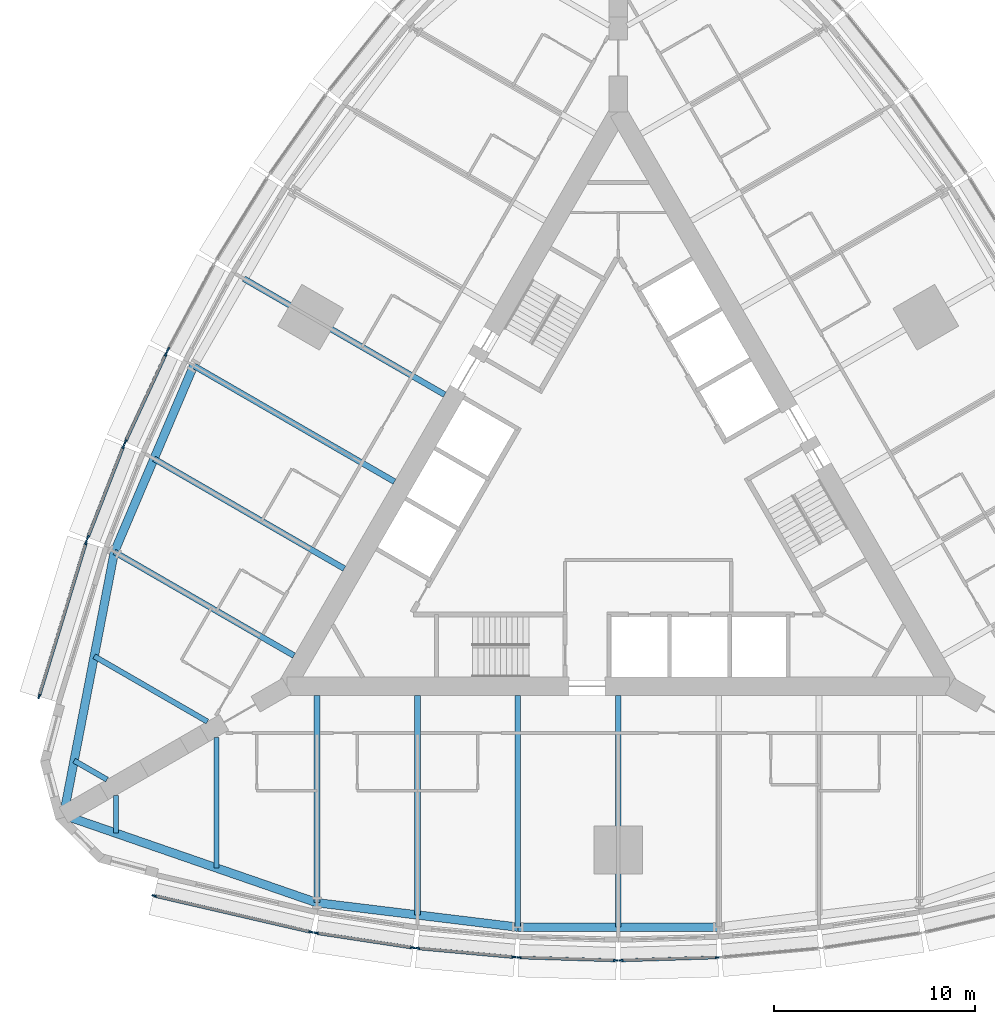
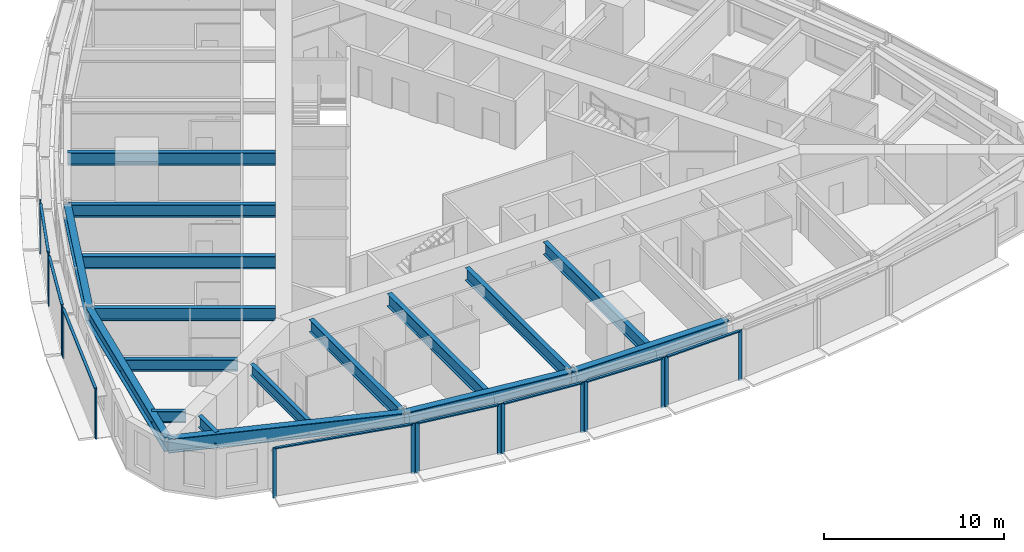
# One storey, part 2 of 14: 25 members, 17 beams, 9 elements without a shape of their own.
"""IFC4 building model written with IfcOpenShell, lengths in metres."""

import ifcopenshell
import ifcopenshell.guid

model = None  # the IFC model being written
_history = None  # IfcOwnerHistory: only IFC2X3 demands one
_inside = {}  # id of a spatial element -> (the spatial element, [elements in it])
_under = {}  # id of a project, library or spatial element -> (it, [spatial elements below it])
_declared = {}  # id of a project -> (the project, [libraries it declares])
_typed = {}  # id of a type object -> (the type object, [elements of that type])
_made_of = {}  # id of a material, layer set ... -> (it, [elements and type objects made of it])


def new_model(schema):
    """Start an empty IFC model of exactly this schema.

    Asked for "IFC4X3", IfcOpenShell would pick the latest addendum, in which some entities
    have other attributes; the version numbers below select the first issue.
    IFC2X3 requires an IfcOwnerHistory on every rooted entity: one is made here for all.
    """
    global model, _history
    if schema == "IFC4X3":
        model = ifcopenshell.file(schema_version=(4, 3, 0, 0))
    else:
        model = ifcopenshell.file(schema=schema)
    _inside.clear()
    _under.clear()
    _declared.clear()
    _typed.clear()
    _made_of.clear()
    _history = None
    if model.schema == "IFC2X3":
        org = make("IfcOrganization", Name="unknown")
        user = make(
            "IfcPersonAndOrganization",
            ThePerson=make("IfcPerson", FamilyName="unknown"),
            TheOrganization=org,
        )
        app = make(
            "IfcApplication",
            ApplicationDeveloper=org,
            Version="unknown",
            ApplicationFullName="unknown",
            ApplicationIdentifier="unknown",
        )
        _history = make(
            "IfcOwnerHistory",
            OwningUser=user,
            OwningApplication=app,
            ChangeAction="ADDED",
            CreationDate=0,
        )
    return model


def make(cls, **values):
    """One entity of the class cls with the attributes given. An attribute that is None is left unset."""
    return model.create_entity(
        cls, **{name: value for name, value in values.items() if value is not None}
    )


def rooted(cls, **values):
    """An entity with a GlobalId (a new one), such as an element, a storey or a relation."""
    return make(cls, GlobalId=ifcopenshell.guid.new(), OwnerHistory=_history, **values)


def si_unit(unit_type, name, prefix=None):
    """IfcSIUnit, for example si_unit("LENGTHUNIT", "METRE", prefix="MILLI")."""
    return make("IfcSIUnit", UnitType=unit_type, Prefix=prefix, Name=name)


def assignment(units):
    """IfcUnitAssignment: the units of a project."""
    return None if units is None else make("IfcUnitAssignment", Units=units)


def point(xyz):
    """IfcCartesianPoint."""
    return None if xyz is None else make("IfcCartesianPoint", Coordinates=xyz)


def direction(xyz):
    """IfcDirection."""
    return None if xyz is None else make("IfcDirection", DirectionRatios=xyz)


def frame(location, z_axis=None, x_axis=None):
    """IfcAxis2Placement3D, a coordinate frame: its origin and axes. An axis left out is left unset."""
    return make(
        "IfcAxis2Placement3D",
        Location=point(location),
        Axis=direction(z_axis),
        RefDirection=direction(x_axis),
    )


def frame_2d(location, x_axis=None):
    """IfcAxis2Placement2D, a coordinate frame in the plane: its origin and x axis."""
    return make(
        "IfcAxis2Placement2D", Location=point(location), RefDirection=direction(x_axis)
    )


def origin():
    """The frame at (0, 0, 0) with its axes left unset."""
    return frame((0.0, 0.0, 0.0))


def origin_2d():
    """The frame at (0, 0) in the plane with its x axis left unset."""
    return frame_2d((0.0, 0.0))


def place(relative_to, where):
    """IfcLocalPlacement: puts the frame where relative to a parent placement (None: the world)."""
    return make(
        "IfcLocalPlacement", PlacementRelTo=relative_to, RelativePlacement=where
    )


def context(
    kind, dimensions, precision=None, world=None, true_north=None, identifier=None
):
    """IfcGeometricRepresentationContext, for example the 3D "Model" context."""
    return make(
        "IfcGeometricRepresentationContext",
        ContextIdentifier=identifier,
        ContextType=kind,
        CoordinateSpaceDimension=dimensions,
        Precision=precision,
        WorldCoordinateSystem=world,
        TrueNorth=true_north,
    )


def subcontext(parent, identifier, kind, view, scale=None):
    """IfcGeometricRepresentationSubContext, for example "Body" below "Model"."""
    return make(
        "IfcGeometricRepresentationSubContext",
        ContextIdentifier=identifier,
        ContextType=kind,
        ParentContext=parent,
        TargetScale=scale,
        TargetView=view,
    )


def project(units=None, contexts=None):
    """IfcProject with its units and contexts."""
    return rooted(
        "IfcProject",
        Name="project",
        RepresentationContexts=contexts,
        UnitsInContext=assignment(units),
    )


def spatial(cls, under=None, at=None, **own):
    """A site, building, storey or space (cls), placed at a placement, below another one or the project."""
    s = rooted(cls, ObjectPlacement=at, **own)
    if under is not None:
        _under.setdefault(under.id(), (under, []))[1].append(s)
    return s


def profile(cls, at=None, kind="AREA", **sizes):
    """A parametric profile (cls). Its sizes go by their IFC names, for example OverallWidth=200.0."""
    return make(cls, ProfileType=kind, Position=at, **sizes)


def rectangle(**sizes):
    """IfcRectangleProfileDef."""
    return profile("IfcRectangleProfileDef", **sizes)


def i_section(**sizes):
    """IfcIShapeProfileDef."""
    return profile("IfcIShapeProfileDef", **sizes)


def extrude(swept, where, along, depth):
    """IfcExtrudedAreaSolid: the profile swept, set in the frame where, extruded along a direction by depth."""
    return make(
        "IfcExtrudedAreaSolid",
        SweptArea=swept,
        Position=where,
        ExtrudedDirection=direction(along),
        Depth=depth,
    )


def shape(context_of_items, identifier, shape_type, items):
    """IfcShapeRepresentation: the items that make up one representation, for example the "Body"."""
    return make(
        "IfcShapeRepresentation",
        ContextOfItems=context_of_items,
        RepresentationIdentifier=identifier,
        RepresentationType=shape_type,
        Items=items,
    )


def material(Name=None, Category=None):
    """IfcMaterial."""
    return make("IfcMaterial", Name=Name, Category=Category)


def material_profile(
    of_material, cross_section, Name=None, Category=None, Priority=None
):
    """IfcMaterialProfile: a cross section and its material."""
    return make(
        "IfcMaterialProfile",
        Name=Name,
        Material=of_material,
        Profile=cross_section,
        Priority=Priority,
        Category=Category,
    )


def profile_set(profiles, Name=None, composite=None):
    """IfcMaterialProfileSet."""
    return make(
        "IfcMaterialProfileSet",
        Name=Name,
        MaterialProfiles=profiles,
        CompositeProfile=composite,
    )


def made_of(thing, what):
    """Note that an element or type object is made of a material, layer set ...; save() writes the relation."""
    if what is not None:
        _made_of.setdefault(what.id(), (what, []))[1].append(thing)
    return thing


def type_object(cls, material=None, **own):
    """A type object (cls), such as IfcWallType, which elements share."""
    return made_of(rooted(cls, **own), material)


def element(
    cls,
    number,
    at=None,
    inside=None,
    cuts=None,
    type_object=None,
    material=None,
    context=None,
    identifier="Body",
    shape_type=None,
    held_by="IfcProductDefinitionShape",
    body=None,
    shapes=None,
    **own,
):
    """One element of the class cls, such as IfcWall. Its Tag is "e" and its number.

    at: its placement. inside: the storey or other place that contains it. cuts: it is an
    opening in that element (IfcRelVoidsElement). A single representation is given by context,
    identifier, shape_type and body (its items); several are given by shapes. held_by: the class
    of the entity that holds the representations. save() writes the other relations.
    """
    e = rooted(cls, Tag="e%d" % number, ObjectPlacement=at, **own)
    if body is not None:
        shapes = [shape(context, identifier, shape_type, body)]
    if shapes is not None:
        e.Representation = make(held_by, Representations=shapes)
    if inside is not None:
        _inside.setdefault(inside.id(), (inside, []))[1].append(e)
    if cuts is not None:
        rooted(
            "IfcRelVoidsElement", RelatingBuildingElement=cuts, RelatedOpeningElement=e
        )
    if type_object is not None:
        _typed.setdefault(type_object.id(), (type_object, []))[1].append(e)
    return made_of(e, material)


def aggregate(whole, parts):
    """IfcRelAggregates: a whole, such as a stair, and the parts it consists of."""
    return rooted("IfcRelAggregates", RelatingObject=whole, RelatedObjects=parts)


def save(model, path):
    """Write the relations noted so far, then the file.

    IfcRelAggregates (storeys below a building ...), IfcRelContainedInSpatialStructure (elements
    in a storey), IfcRelDefinesByType, IfcRelAssociatesMaterial and IfcRelDeclares: one each for
    every whole, place, type object, material and project.
    """
    for whole, parts in _under.values():
        aggregate(whole, parts)
    for where, things in _inside.values():
        rooted(
            "IfcRelContainedInSpatialStructure",
            RelatedElements=things,
            RelatingStructure=where,
        )
    for kind, things in _typed.values():
        rooted("IfcRelDefinesByType", RelatedObjects=things, RelatingType=kind)
    for what, things in _made_of.values():
        rooted("IfcRelAssociatesMaterial", RelatedObjects=things, RelatingMaterial=what)
    for by, libraries in _declared.values():
        rooted("IfcRelDeclares", RelatingContext=by, RelatedDefinitions=libraries)
    model.write(path)


model = new_model("IFC4")

# Units and contexts
model_context = context("Model", 3, precision=1e-05, world=origin(), true_north=direction((0.0, 1.0)))
body_context = subcontext(model_context, "Body", "Model", "MODEL_VIEW")
ifc_project = project(units=[si_unit("LENGTHUNIT", "METRE"), si_unit("AREAUNIT", "SQUARE_METRE"), si_unit("VOLUMEUNIT", "CUBIC_METRE"), si_unit("PLANEANGLEUNIT", "RADIAN"), si_unit("MASSUNIT", "GRAM", prefix="KILO")], contexts=[model_context])

# Site, building, storey
site_placement = place(None, origin())
site = spatial("IfcSite", under=ifc_project, at=site_placement, CompositionType="ELEMENT")
building_placement = place(site_placement, origin())
building = spatial("IfcBuilding", under=site, at=building_placement, Name="Trikona Tower", CompositionType="ELEMENT")
storey_placement = place(building_placement, frame((0.0, 0.0, 45.5)))
storey = spatial("IfcBuildingStorey", under=building, at=storey_placement, Name="L10", CompositionType="ELEMENT", Elevation=45.5)

# Curtain wall, members
ifc_material_1 = material(Name="Aluminium curtain wall system", Category="aluminium")
curtain_wall_type = type_object("IfcCurtainWallType", Name="Curtain wall DS1", PredefinedType="NOTDEFINED", material=ifc_material_1)
curtain_wall_1_placement = place(storey_placement, origin())
curtain_wall_1 = element("IfcCurtainWall", 1, at=curtain_wall_1_placement, inside=storey, type_object=curtain_wall_type, Name="Curtain wall DS1 L10", PredefinedType="NOTDEFINED")
ifc_material_2 = material(Name="Aluminium mullion, pale anodised", Category="aluminium")
ifc_material_profile_1 = material_profile(ifc_material_2, rectangle(XDim=0.080078125, YDim=0.219970703125, at=origin_2d()), Name="MUL-DS1")
ifc_profile_set_1 = profile_set([ifc_material_profile_1], Name="Aluminium mullion, pale anodised")
member_type_1 = type_object("IfcMemberType", Name="Mullion DS1 80x220", PredefinedType="MULLION", material=ifc_profile_set_1)
member_1_placement = place(storey_placement, frame((-23.10546875, -19.951904296875, 0.0), z_axis=(0.0, 0.0, 1.0), x_axis=(0.225343288756, 0.974279427173, 0.0)))
member_1 = element("IfcMember", 2, at=member_1_placement, type_object=member_type_1, Name="CW-DS1 mullion 1", PredefinedType="MULLION", context=body_context, shape_type="SweptSolid", body=[
    extrude(rectangle(XDim=0.080078125, YDim=0.219970703125, at=origin_2d()), origin(), (0.0, 0.0, 1.0), 3.39990234375),
])
member_2_placement = place(storey_placement, frame((-15.30029296875, -21.75732421875, 0.0), z_axis=(0.0, 0.0, 1.0), x_axis=(0.225343288756, 0.974279427173, 0.0)))
member_2 = element("IfcMember", 3, at=member_2_placement, type_object=member_type_1, Name="CW-DS1 mullion 2", PredefinedType="MULLION", context=body_context, shape_type="SweptSolid", body=[
    extrude(rectangle(XDim=0.080078125, YDim=0.219970703125, at=origin_2d()), origin(), (0.0, 0.0, 1.0), 3.39990234375),
])

curtain_wall_2_placement = place(storey_placement, origin())
curtain_wall_2 = element("IfcCurtainWall", 4, at=curtain_wall_2_placement, inside=storey, type_object=curtain_wall_type, Name="Curtain wall DS1 L10", PredefinedType="NOTDEFINED")
member_3_placement = place(storey_placement, frame((-15.03662109375, -21.807861328125, 0.0), z_axis=(0.0, 0.0, 1.0), x_axis=(0.150437693845, 0.988619492156, 0.0)))
member_3 = element("IfcMember", 5, at=member_3_placement, type_object=member_type_1, Name="CW-DS1 mullion 1", PredefinedType="MULLION", context=body_context, shape_type="SweptSolid", body=[
    extrude(rectangle(XDim=0.080078125, YDim=0.219970703125, at=origin_2d()), origin(), (0.0, 0.0, 1.0), 3.39990234375),
])
member_4_placement = place(storey_placement, frame((-10.234130859375, -22.53857421875, 0.0), z_axis=(0.0, 0.0, 1.0), x_axis=(0.150437693845, 0.988619492156, 0.0)))
member_4 = element("IfcMember", 6, at=member_4_placement, type_object=member_type_1, Name="CW-DS1 mullion 2", PredefinedType="MULLION", context=body_context, shape_type="SweptSolid", body=[
    extrude(rectangle(XDim=0.080078125, YDim=0.219970703125, at=origin_2d()), origin(), (0.0, 0.0, 1.0), 3.39990234375),
])

curtain_wall_3_placement = place(storey_placement, origin())
curtain_wall_3 = element("IfcCurtainWall", 7, at=curtain_wall_3_placement, inside=storey, type_object=curtain_wall_type, Name="Curtain wall DS1 L10", PredefinedType="NOTDEFINED")
member_5_placement = place(storey_placement, frame((-9.982177734375, -22.5693359375, 0.0), z_axis=(0.0, 0.0, 1.0), x_axis=(0.090923932737, 0.995857840485, 0.0)))
member_5 = element("IfcMember", 8, at=member_5_placement, type_object=member_type_1, Name="CW-DS1 mullion 1", PredefinedType="MULLION", context=body_context, shape_type="SweptSolid", body=[
    extrude(rectangle(XDim=0.080078125, YDim=0.219970703125, at=origin_2d()), origin(), (0.0, 0.0, 1.0), 3.39990234375),
])
member_6_placement = place(storey_placement, frame((-5.181396484375, -23.007568359375, 0.0), z_axis=(0.0, 0.0, 1.0), x_axis=(0.090923932737, 0.995857840485, 0.0)))
member_6 = element("IfcMember", 9, at=member_6_placement, type_object=member_type_1, Name="CW-DS1 mullion 2", PredefinedType="MULLION", context=body_context, shape_type="SweptSolid", body=[
    extrude(rectangle(XDim=0.080078125, YDim=0.219970703125, at=origin_2d()), origin(), (0.0, 0.0, 1.0), 3.39990234375),
])

curtain_wall_4_placement = place(storey_placement, origin())
curtain_wall_4 = element("IfcCurtainWall", 10, at=curtain_wall_4_placement, inside=storey, type_object=curtain_wall_type, Name="Curtain wall DS1 L10", PredefinedType="NOTDEFINED")
member_7_placement = place(storey_placement, frame((-4.927490234375, -23.02294921875, 0.0), z_axis=(0.0, 0.0, 1.0), x_axis=(0.030436711692, 0.999536695965, 0.0)))
member_7 = element("IfcMember", 11, at=member_7_placement, type_object=member_type_1, Name="CW-DS1 mullion 1", PredefinedType="MULLION", context=body_context, shape_type="SweptSolid", body=[
    extrude(rectangle(XDim=0.080078125, YDim=0.219970703125, at=origin_2d()), origin(), (0.0, 0.0, 1.0), 3.39990234375),
])
member_8_placement = place(storey_placement, frame((-0.12744140625, -23.169189453125, 0.0), z_axis=(0.0, 0.0, 1.0), x_axis=(0.030436711692, 0.999536695965, 0.0)))
member_8 = element("IfcMember", 12, at=member_8_placement, type_object=member_type_1, Name="CW-DS1 mullion 2", PredefinedType="MULLION", context=body_context, shape_type="SweptSolid", body=[
    extrude(rectangle(XDim=0.080078125, YDim=0.219970703125, at=origin_2d()), origin(), (0.0, 0.0, 1.0), 3.39990234375),
])

curtain_wall_5_placement = place(storey_placement, origin())
curtain_wall_5 = element("IfcCurtainWall", 13, at=curtain_wall_5_placement, inside=storey, type_object=curtain_wall_type, Name="Curtain wall DS1 L10", PredefinedType="NOTDEFINED")
member_9_placement = place(storey_placement, frame((0.12744140625, -23.169189453125, 0.0), z_axis=(0.0, 0.0, 1.0), x_axis=(-0.030436711692, 0.999536695965, 0.0)))
member_9 = element("IfcMember", 14, at=member_9_placement, type_object=member_type_1, Name="CW-DS1 mullion 1", PredefinedType="MULLION", context=body_context, shape_type="SweptSolid", body=[
    extrude(rectangle(XDim=0.080078125, YDim=0.219970703125, at=origin_2d()), origin(), (0.0, 0.0, 1.0), 3.39990234375),
])
member_10_placement = place(storey_placement, frame((4.927490234375, -23.02294921875, 0.0), z_axis=(0.0, 0.0, 1.0), x_axis=(-0.030436711692, 0.999536695965, 0.0)))
member_10 = element("IfcMember", 15, at=member_10_placement, type_object=member_type_1, Name="CW-DS1 mullion 2", PredefinedType="MULLION", context=body_context, shape_type="SweptSolid", body=[
    extrude(rectangle(XDim=0.080078125, YDim=0.219970703125, at=origin_2d()), origin(), (0.0, 0.0, 1.0), 3.39990234375),
])

# Curtain wall, member
curtain_wall_6_placement = place(storey_placement, origin())
curtain_wall_6 = element("IfcCurtainWall", 16, at=curtain_wall_6_placement, inside=storey, type_object=curtain_wall_type, Name="Curtain wall DS1 L10", PredefinedType="NOTDEFINED")
member_11_placement = place(storey_placement, frame((-22.402099609375, 7.244140625, 0.0), z_axis=(0.0, 0.0, 1.0), x_axis=(0.880843080975, -0.473408350896, 0.0)))
member_11 = element("IfcMember", 17, at=member_11_placement, type_object=member_type_1, Name="CW-DS1 mullion 2", PredefinedType="MULLION", context=body_context, shape_type="SweptSolid", body=[
    extrude(rectangle(XDim=0.080078125, YDim=0.219970703125, at=origin_2d()), origin(), (0.0, 0.0, 1.0), 3.39990234375),
])
aggregate(curtain_wall_6, [member_11])

# Curtain wall, members
curtain_wall_7_placement = place(storey_placement, origin())
curtain_wall_7 = element("IfcCurtainWall", 18, at=curtain_wall_7_placement, inside=storey, type_object=curtain_wall_type, Name="Curtain wall DS1 L10", PredefinedType="NOTDEFINED")
member_12_placement = place(storey_placement, frame((-22.515869140625, 7.0166015625, 0.0), z_axis=(0.0, 0.0, 1.0), x_axis=(0.907898459992, -0.419190155352, 0.0)))
member_12 = element("IfcMember", 19, at=member_12_placement, type_object=member_type_1, Name="CW-DS1 mullion 1", PredefinedType="MULLION", context=body_context, shape_type="SweptSolid", body=[
    extrude(rectangle(XDim=0.080078125, YDim=0.219970703125, at=origin_2d()), origin(), (0.0, 0.0, 1.0), 3.39990234375),
])
member_13_placement = place(storey_placement, frame((-24.53662109375, 2.6396484375, 0.0), z_axis=(0.0, 0.0, 1.0), x_axis=(0.907898459992, -0.419190155352, 0.0)))
member_13 = element("IfcMember", 20, at=member_13_placement, type_object=member_type_1, Name="CW-DS1 mullion 2", PredefinedType="MULLION", context=body_context, shape_type="SweptSolid", body=[
    extrude(rectangle(XDim=0.080078125, YDim=0.219970703125, at=origin_2d()), origin(), (0.0, 0.0, 1.0), 3.39990234375),
])

curtain_wall_8_placement = place(storey_placement, origin())
curtain_wall_8 = element("IfcCurtainWall", 21, at=curtain_wall_8_placement, inside=storey, type_object=curtain_wall_type, Name="Curtain wall DS1 L10", PredefinedType="NOTDEFINED")
member_14_placement = place(storey_placement, frame((-24.63623046875, 2.40625, 0.0), z_axis=(0.0, 0.0, 1.0), x_axis=(0.931395989443, -0.36400756977, 0.0)))
member_14 = element("IfcMember", 22, at=member_14_placement, type_object=member_type_1, Name="CW-DS1 mullion 1", PredefinedType="MULLION", context=body_context, shape_type="SweptSolid", body=[
    extrude(rectangle(XDim=0.080078125, YDim=0.219970703125, at=origin_2d()), origin(), (0.0, 0.0, 1.0), 3.39990234375),
])
member_15_placement = place(storey_placement, frame((-26.404296875, -2.1181640625, 0.0), z_axis=(0.0, 0.0, 1.0), x_axis=(0.931395989443, -0.36400756977, 0.0)))
member_15 = element("IfcMember", 23, at=member_15_placement, type_object=member_type_1, Name="CW-DS1 mullion 2", PredefinedType="MULLION", context=body_context, shape_type="SweptSolid", body=[
    extrude(rectangle(XDim=0.080078125, YDim=0.219970703125, at=origin_2d()), origin(), (0.0, 0.0, 1.0), 3.39990234375),
])

curtain_wall_9_placement = place(storey_placement, origin())
curtain_wall_9 = element("IfcCurtainWall", 24, at=curtain_wall_9_placement, inside=storey, type_object=curtain_wall_type, Name="Curtain wall DS1 L10", PredefinedType="NOTDEFINED")
member_16_placement = place(storey_placement, frame((-26.492431640625, -2.371826171875, 0.0), z_axis=(0.0, 0.0, 1.0), x_axis=(0.956423115383, -0.291984287868, 0.0)))
member_16 = element("IfcMember", 25, at=member_16_placement, type_object=member_type_1, Name="CW-DS1 mullion 1", PredefinedType="MULLION", context=body_context, shape_type="SweptSolid", body=[
    extrude(rectangle(XDim=0.080078125, YDim=0.219970703125, at=origin_2d()), origin(), (0.0, 0.0, 1.0), 3.39990234375),
])
member_17_placement = place(storey_placement, frame((-28.83154296875, -10.033935546875, 0.0), z_axis=(0.0, 0.0, 1.0), x_axis=(0.956423115383, -0.291984287868, 0.0)))
member_17 = element("IfcMember", 26, at=member_17_placement, type_object=member_type_1, Name="CW-DS1 mullion 2", PredefinedType="MULLION", context=body_context, shape_type="SweptSolid", body=[
    extrude(rectangle(XDim=0.080078125, YDim=0.219970703125, at=origin_2d()), origin(), (0.0, 0.0, 1.0), 3.39990234375),
])

# Beams
ifc_material_3 = material(Name="Steel ASTM A992 Grade 50", Category="steel")
ifc_material_profile_2 = material_profile(ifc_material_3, i_section(OverallWidth=0.2666015625, OverallDepth=0.76953125, WebThickness=0.015625, FlangeThickness=0.025390625, at=origin_2d()), Name="W30X132")
ifc_profile_set_2 = profile_set([ifc_material_profile_2], Name="Steel ASTM A992 Grade 50")
beam_type_1 = type_object("IfcBeamType", Name="Steel beam W30x132 (wedge)", PredefinedType="BEAM", material=ifc_profile_set_2)
beam_1_placement = place(storey_placement, frame((-25.0, -14.953369140625, 2.85009765625), z_axis=(0.0, -1.0, 0.0), x_axis=(1.0, 0.0, 0.0)))
element("IfcBeam", 27, at=beam_1_placement, inside=storey, type_object=beam_type_1, Name="Floor beam L11 F1 u-25", PredefinedType="BEAM", context=body_context, shape_type="SweptSolid", body=[
    extrude(i_section(OverallWidth=0.2666015625, OverallDepth=0.76953125, WebThickness=0.015625, FlangeThickness=0.025390625, at=origin_2d()), origin(), (0.0, 0.0, 1.0), 1.890380859375),
])
for number, where, z_axis, x_axis, name in (
    (28, (-20.0, -12.066650390625, 2.85009765625), (0.0, -1.0, 0.0), (1.0, 0.0, 0.0), "Floor beam L11 F1 u-20"),
    (29, (-20.449951171875, -11.287109375, 2.85009765625), (-0.866022504693, 0.50000502134, 0.0), (-0.50000502134, -0.866022504693, 0.0), "Floor beam L11 F3 u20"),
):
    element("IfcBeam", number, at=place(storey_placement, frame(where, z_axis=z_axis, x_axis=x_axis)), inside=storey, type_object=beam_type_1, Name=name, PredefinedType="BEAM", context=body_context, shape_type="SweptSolid", body=[
        extrude(i_section(OverallWidth=0.2666015625, OverallDepth=0.76953125, WebThickness=0.015625, FlangeThickness=0.025390625, at=origin_2d()), origin(), (0.0, 0.0, 1.0), 6.5068359375),
    ])
beam_2_placement = place(storey_placement, frame((-25.449951171875, -14.173828125, 2.85009765625), z_axis=(-0.866065156741, 0.499931139538, 0.0), x_axis=(-0.499931139538, -0.866065156741, 0.0)))
element("IfcBeam", 30, at=beam_2_placement, inside=storey, type_object=beam_type_1, Name="Floor beam L11 F3 u25", PredefinedType="BEAM", context=body_context, shape_type="SweptSolid", body=[
    extrude(i_section(OverallWidth=0.2666015625, OverallDepth=0.76953125, WebThickness=0.015625, FlangeThickness=0.025390625, at=origin_2d()), origin(), (0.0, 0.0, 1.0), 1.890380859375),
])
ifc_material_4 = material(Name="Steel ASTM A992 Grade 50", Category="steel")
ifc_material_profile_3 = material_profile(ifc_material_4, i_section(OverallWidth=0.2919921875, OverallDepth=0.845703125, WebThickness=0.015380859375, FlangeThickness=0.0244140625, at=origin_2d()), Name="W33X141")
ifc_profile_set_3 = profile_set([ifc_material_profile_3], Name="Steel ASTM A992 Grade 50")
beam_type_2 = type_object("IfcBeamType", Name="Steel beam W33x141 (radial typ)", PredefinedType="BEAM", material=ifc_profile_set_3)
beam_3_placement = place(storey_placement, frame((-15.0, -9.976318359375, 2.81201171875), z_axis=(0.0, -1.0, 0.0), x_axis=(1.0, 0.0, 0.0)))
element("IfcBeam", 31, at=beam_3_placement, inside=storey, type_object=beam_type_2, Name="Floor beam L11 F1 u-15", PredefinedType="BEAM", context=body_context, shape_type="SweptSolid", body=[
    extrude(i_section(OverallWidth=0.2919921875, OverallDepth=0.845703125, WebThickness=0.015380859375, FlangeThickness=0.0244140625, at=origin_2d()), origin(), (0.0, 0.0, 1.0), 10.32666015625),
])
beam_4_placement = place(storey_placement, frame((-10.0, -9.976318359375, 2.81201171875), z_axis=(0.0, -1.0, 0.0), x_axis=(1.0, 0.0, 0.0)))
element("IfcBeam", 32, at=beam_4_placement, inside=storey, type_object=beam_type_2, Name="Floor beam L11 F1 u-10", PredefinedType="BEAM", context=body_context, shape_type="SweptSolid", body=[
    extrude(i_section(OverallWidth=0.2919921875, OverallDepth=0.845703125, WebThickness=0.015380859375, FlangeThickness=0.0244140625, at=origin_2d()), origin(), (0.0, 0.0, 1.0), 10.935302734375),
])
for number, where, z_axis, x_axis, name in (
    (33, (-5.0, -9.976318359375, 2.81201171875), (0.0, -1.0, 0.0), (1.0, 0.0, 0.0), "Floor beam L11 F1 u-5"),
    (34, (0.0, -9.976318359375, 2.81201171875), (0.0, -1.0, 0.0), (1.0, 0.0, 0.0), "Floor beam L11 F1 u0"),
    (35, (-8.6396484375, 4.988037109375, 2.81201171875), (-0.866020765707, 0.500008033299, 0.0), (-0.500008033299, -0.866020765707, 0.0), "Floor beam L11 F3 u0"),
    (36, (-11.1396484375, 0.657958984375, 2.81201171875), (-0.866020765707, 0.500008033299, 0.0), (-0.500008033299, -0.866020765707, 0.0), "Floor beam L11 F3 u5"),
):
    element("IfcBeam", number, at=place(storey_placement, frame(where, z_axis=z_axis, x_axis=x_axis)), inside=storey, type_object=beam_type_2, Name=name, PredefinedType="BEAM", context=body_context, shape_type="SweptSolid", body=[
        extrude(i_section(OverallWidth=0.2919921875, OverallDepth=0.845703125, WebThickness=0.015380859375, FlangeThickness=0.0244140625, at=origin_2d()), origin(), (0.0, 0.0, 1.0), 11.544189453125),
    ])
beam_5_placement = place(storey_placement, frame((-13.6396484375, -3.672119140625, 2.81201171875), z_axis=(-0.866025348605, 0.500000095573, 0.0), x_axis=(-0.500000095573, -0.866025348605, 0.0)))
element("IfcBeam", 37, at=beam_5_placement, inside=storey, type_object=beam_type_2, Name="Floor beam L11 F3 u10", PredefinedType="BEAM", context=body_context, shape_type="SweptSolid", body=[
    extrude(i_section(OverallWidth=0.2919921875, OverallDepth=0.845703125, WebThickness=0.015380859375, FlangeThickness=0.0244140625, at=origin_2d()), origin(), (0.0, 0.0, 1.0), 10.935546875),
])
beam_6_placement = place(storey_placement, frame((-16.1396484375, -8.002197265625, 2.81201171875), z_axis=(-0.866030471684, 0.499991222037, 0.0), x_axis=(-0.499991222037, -0.866030471684, 0.0)))
element("IfcBeam", 38, at=beam_6_placement, inside=storey, type_object=beam_type_2, Name="Floor beam L11 F3 u15", PredefinedType="BEAM", context=body_context, shape_type="SweptSolid", body=[
    extrude(i_section(OverallWidth=0.2919921875, OverallDepth=0.845703125, WebThickness=0.015380859375, FlangeThickness=0.0244140625, at=origin_2d()), origin(), (0.0, 0.0, 1.0), 10.326904296875),
])
ifc_material_5 = material(Name="Steel ASTM A992 Grade 50", Category="steel")
ifc_material_profile_4 = material_profile(ifc_material_5, i_section(OverallWidth=0.424072265625, OverallDepth=0.947509765625, WebThickness=0.02392578125, FlangeThickness=0.042724609375, at=origin_2d()), Name="W36X302")
ifc_profile_set_4 = profile_set([ifc_material_profile_4], Name="Steel ASTM A992 Grade 50")
beam_type_3 = type_object("IfcBeamType", Name="Steel beam W36x302 (spandrel)", PredefinedType="SPANDREL", material=ifc_profile_set_4)
beam_7_placement = place(storey_placement, frame((-27.6103515625, -15.94091796875, 2.76123046875), z_axis=(0.945056965739, -0.326905692071, 0.0), x_axis=(0.326905692071, 0.945056965739, 0.0)))
element("IfcBeam", 39, at=beam_7_placement, inside=storey, type_object=beam_type_3, Name="Spandrel beam L11 F1-1", PredefinedType="SPANDREL", context=body_context, shape_type="SweptSolid", body=[
    extrude(i_section(OverallWidth=0.424072265625, OverallDepth=0.947509765625, WebThickness=0.02392578125, FlangeThickness=0.042724609375, at=origin_2d()), origin(), (0.0, 0.0, 1.0), 13.343505859375),
])
beam_8_placement = place(storey_placement, frame((-15.0, -20.302978515625, 2.76123046875), z_axis=(0.99266951126, -0.120860421207, 0.0), x_axis=(0.120860421207, 0.99266951126, 0.0)))
element("IfcBeam", 40, at=beam_8_placement, inside=storey, type_object=beam_type_3, Name="Spandrel beam L11 F1-2", PredefinedType="SPANDREL", context=body_context, shape_type="SweptSolid", body=[
    extrude(i_section(OverallWidth=0.424072265625, OverallDepth=0.947509765625, WebThickness=0.02392578125, FlangeThickness=0.042724609375, at=origin_2d()), origin(), (0.0, 0.0, 1.0), 10.07373046875),
])
beam_9_placement = place(storey_placement, frame((-5.0, -21.5205078125, 2.76123046875), z_axis=(1.0, 0.0, 0.0), x_axis=(0.0, 1.0, 0.0)))
element("IfcBeam", 41, at=beam_9_placement, inside=storey, type_object=beam_type_3, Name="Spandrel beam L11 F1-3", PredefinedType="SPANDREL", context=body_context, shape_type="SweptSolid", body=[
    extrude(i_section(OverallWidth=0.424072265625, OverallDepth=0.947509765625, WebThickness=0.02392578125, FlangeThickness=0.042724609375, at=origin_2d()), origin(), (0.0, 0.0, 1.0), 10.0),
])
beam_10_placement = place(storey_placement, frame((-21.13720703125, 6.43017578125, 2.76123046875), z_axis=(-0.391683514847, -0.920100007715, 0.0), x_axis=(0.920100007715, -0.391683514847, 0.0)))
element("IfcBeam", 42, at=beam_10_placement, inside=storey, type_object=beam_type_3, Name="Spandrel beam L11 F3-4", PredefinedType="SPANDREL", context=body_context, shape_type="SweptSolid", body=[
    extrude(i_section(OverallWidth=0.424072265625, OverallDepth=0.947509765625, WebThickness=0.02392578125, FlangeThickness=0.042724609375, at=origin_2d()), origin(), (0.0, 0.0, 1.0), 10.073974609375),
])
beam_11_placement = place(storey_placement, frame((-25.0830078125, -2.8388671875, 2.76123046875), z_axis=(-0.189405184036, -0.981899015307, 0.0), x_axis=(0.981899015307, -0.189405184036, 0.0)))
element("IfcBeam", 43, at=beam_11_placement, inside=storey, type_object=beam_type_3, Name="Spandrel beam L11 F3-5", PredefinedType="SPANDREL", context=body_context, shape_type="SweptSolid", body=[
    extrude(i_section(OverallWidth=0.424072265625, OverallDepth=0.947509765625, WebThickness=0.02392578125, FlangeThickness=0.042724609375, at=origin_2d()), origin(), (0.0, 0.0, 1.0), 13.343505859375),
])

# Member
ifc_material_6 = material(Name="Aluminium transom, pale anodised", Category="aluminium")
ifc_material_profile_5 = material_profile(ifc_material_6, rectangle(XDim=0.159912109375, YDim=0.080078125, at=origin_2d()), Name="TRN-DS1")
ifc_profile_set_5 = profile_set([ifc_material_profile_5], Name="Aluminium transom, pale anodised")
member_type_2 = type_object("IfcMemberType", Name="Transom DS1 80x160", PredefinedType="USERDEFINED", material=ifc_profile_set_5)
member_18_placement = place(storey_placement, frame((-23.06640625, -19.9609375, 3.360107421875), z_axis=(0.974275371842, -0.225360821398, 0.0), x_axis=(0.225360821398, 0.974275371842, 0.0)))
member_18 = element("IfcMember", 44, at=member_18_placement, type_object=member_type_2, Name="CW-DS1 transom 1.1", ObjectType="TRANSOM", PredefinedType="USERDEFINED", context=body_context, shape_type="SweptSolid", body=[
    extrude(rectangle(XDim=0.159912109375, YDim=0.080078125, at=origin_2d()), origin(), (0.0, 0.0, 1.0), 7.93115234375),
])

aggregate(curtain_wall_1, [member_1, member_2, member_18])

member_19_placement = place(storey_placement, frame((-14.9970703125, -21.813720703125, 3.360107421875), z_axis=(0.988619663412, -0.150436568413, 0.0), x_axis=(0.150436568413, 0.988619663412, 0.0)))
member_19 = element("IfcMember", 45, at=member_19_placement, type_object=member_type_2, Name="CW-DS1 transom 1.1", ObjectType="TRANSOM", PredefinedType="USERDEFINED", context=body_context, shape_type="SweptSolid", body=[
    extrude(rectangle(XDim=0.159912109375, YDim=0.080078125, at=origin_2d()), origin(), (0.0, 0.0, 1.0), 4.77783203125),
])

aggregate(curtain_wall_2, [member_3, member_4, member_19])

member_20_placement = place(storey_placement, frame((-9.9423828125, -22.57275390625, 3.360107421875), z_axis=(0.995855977008, -0.090944340438, 0.0), x_axis=(0.090944340438, 0.995855977008, 0.0)))
member_20 = element("IfcMember", 46, at=member_20_placement, type_object=member_type_2, Name="CW-DS1 transom 1.1", ObjectType="TRANSOM", PredefinedType="USERDEFINED", context=body_context, shape_type="SweptSolid", body=[
    extrude(rectangle(XDim=0.159912109375, YDim=0.080078125, at=origin_2d()), origin(), (0.0, 0.0, 1.0), 4.74072265625),
])

aggregate(curtain_wall_3, [member_5, member_6, member_20])

member_21_placement = place(storey_placement, frame((-4.887451171875, -23.024169921875, 3.360107421875), z_axis=(0.999536232946, -0.030451913371, 0.0), x_axis=(0.030451913371, 0.999536232946, 0.0)))
member_21 = element("IfcMember", 47, at=member_21_placement, type_object=member_type_2, Name="CW-DS1 transom 1.1", ObjectType="TRANSOM", PredefinedType="USERDEFINED", context=body_context, shape_type="SweptSolid", body=[
    extrude(rectangle(XDim=0.159912109375, YDim=0.080078125, at=origin_2d()), origin(), (0.0, 0.0, 1.0), 4.72216796875),
])

aggregate(curtain_wall_4, [member_7, member_8, member_21])

member_22_placement = place(storey_placement, frame((0.16748046875, -23.16796875, 3.360107421875), z_axis=(0.999536232946, 0.030451913371, 0.0), x_axis=(-0.030451913371, 0.999536232946, 0.0)))
member_22 = element("IfcMember", 48, at=member_22_placement, type_object=member_type_2, Name="CW-DS1 transom 1.1", ObjectType="TRANSOM", PredefinedType="USERDEFINED", context=body_context, shape_type="SweptSolid", body=[
    extrude(rectangle(XDim=0.159912109375, YDim=0.080078125, at=origin_2d()), origin(), (0.0, 0.0, 1.0), 4.72216796875),
])

aggregate(curtain_wall_5, [member_9, member_10, member_22])

member_23_placement = place(storey_placement, frame((-22.53271484375, 6.980224609375, 3.360107421875), z_axis=(-0.419188800665, -0.90789908547, 0.0), x_axis=(0.90789908547, -0.419188800665, 0.0)))
member_23 = element("IfcMember", 49, at=member_23_placement, type_object=member_type_2, Name="CW-DS1 transom 1.1", ObjectType="TRANSOM", PredefinedType="USERDEFINED", context=body_context, shape_type="SweptSolid", body=[
    extrude(rectangle(XDim=0.159912109375, YDim=0.080078125, at=origin_2d()), origin(), (0.0, 0.0, 1.0), 4.74072265625),
])

aggregate(curtain_wall_7, [member_12, member_13, member_23])

member_24_placement = place(storey_placement, frame((-24.650634765625, 2.368896484375, 3.360107421875), z_axis=(-0.364048647668, -0.931379934362, 0.0), x_axis=(0.931379934362, -0.364048647668, 0.0)))
member_24 = element("IfcMember", 50, at=member_24_placement, type_object=member_type_2, Name="CW-DS1 transom 1.1", ObjectType="TRANSOM", PredefinedType="USERDEFINED", context=body_context, shape_type="SweptSolid", body=[
    extrude(rectangle(XDim=0.159912109375, YDim=0.080078125, at=origin_2d()), origin(), (0.0, 0.0, 1.0), 4.777587890625),
])

aggregate(curtain_wall_8, [member_14, member_15, member_24])

member_25_placement = place(storey_placement, frame((-26.504150390625, -2.409912109375, 3.360107421875), z_axis=(-0.291967490203, -0.956428243343, 0.0), x_axis=(0.956428243343, -0.291967490203, 0.0)))
member_25 = element("IfcMember", 51, at=member_25_placement, type_object=member_type_2, Name="CW-DS1 transom 1.1", ObjectType="TRANSOM", PredefinedType="USERDEFINED", context=body_context, shape_type="SweptSolid", body=[
    extrude(rectangle(XDim=0.159912109375, YDim=0.080078125, at=origin_2d()), origin(), (0.0, 0.0, 1.0), 7.93115234375),
])

aggregate(curtain_wall_9, [member_16, member_17, member_25])

save(model, "model.ifc")
